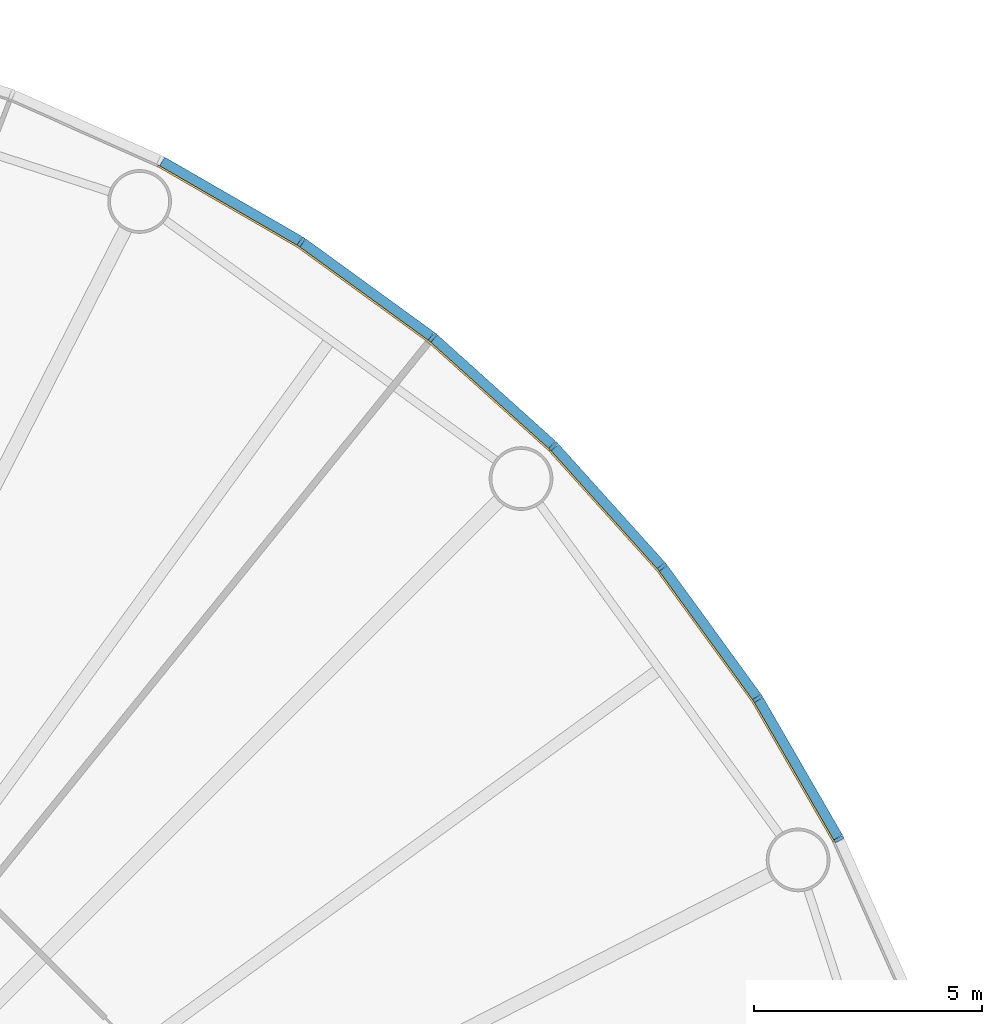
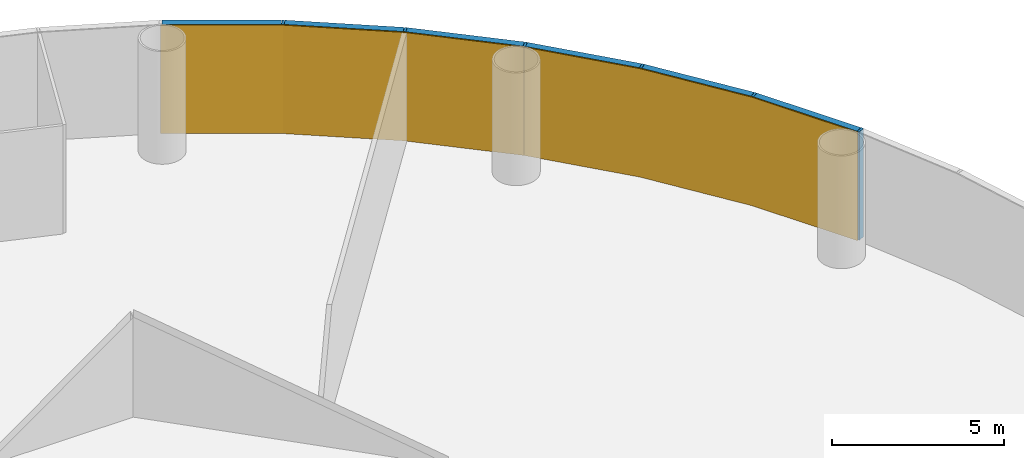
# One storey, part 10 of 13: 12 members, 2 curtain walls.
"""IFC4 building model written with IfcOpenShell, lengths in metres."""

from ifc_helpers import new_model, si_unit, direction, frame, origin, origin_2d, place, context, subcontext, project, spatial, polyline, rectangle, outline, extrude, material, layer, layer_set, material_profile, profile_set, type_object, element, aggregate, save


model = new_model("IFC4")

# Units and contexts
model_context = context("Model", 3, precision=1e-05, world=origin(), true_north=direction((0.0, 1.0)))
body_context = subcontext(model_context, "Body", "Model", "MODEL_VIEW")
ifc_project = project(units=[si_unit("LENGTHUNIT", "METRE"), si_unit("AREAUNIT", "SQUARE_METRE"), si_unit("VOLUMEUNIT", "CUBIC_METRE"), si_unit("PLANEANGLEUNIT", "RADIAN"), si_unit("MASSUNIT", "GRAM", prefix="KILO")], contexts=[model_context])

# Member
ifc_material_1 = material(Name="Anodised aluminium", Category="aluminium")
ifc_material_profile_1 = material_profile(ifc_material_1, rectangle(XDim=0.074951171875, YDim=0.219970703125, at=origin_2d()), Name="Mullion 75 x 220 mm anodised aluminium")
ifc_profile_set_1 = profile_set([ifc_material_profile_1], Name="Anodised aluminium")
member_type_1 = type_object("IfcMemberType", Name="Mullion 75 x 220 mm anodised aluminium", PredefinedType="MULLION", material=ifc_profile_set_1)
site_placement = place(None, origin())
building_placement = place(site_placement, origin())
storey_placement = place(building_placement, frame((0.0, 0.0, 42.0)))
member_1_placement = place(storey_placement, frame((120.392333984375, 95.485595703125, 0.0), z_axis=(0.0, 0.0, 1.0), x_axis=(-0.45399049974, 0.891006524188, 0.0)))
member_1 = element("IfcMember", 1, at=member_1_placement, type_object=member_type_1, Name="MULLION L08-03", PredefinedType="MULLION", context=body_context, shape_type="SweptSolid", body=[
    extrude(rectangle(XDim=0.074951171875, YDim=0.219970703125, at=origin_2d()), origin(), (0.0, 0.0, 1.0), 3.85009765625),
])

member_2_placement = place(storey_placement, frame((118.60693359375, 98.57763671875, 0.0), z_axis=(0.0, 0.0, 1.0), x_axis=(-0.544639035015, 0.838670567945, 0.0)))
member_2 = element("IfcMember", 2, at=member_2_placement, type_object=member_type_1, Name="MULLION L08-04", PredefinedType="MULLION", context=body_context, shape_type="SweptSolid", body=[
    extrude(rectangle(XDim=0.074951171875, YDim=0.219970703125, at=origin_2d()), origin(), (0.0, 0.0, 1.0), 3.85009765625),
])

member_3_placement = place(storey_placement, frame((116.508544921875, 101.466064453125, 0.0), z_axis=(0.0, 0.0, 1.0), x_axis=(-0.62932039105, 0.777145961457, 0.0)))
member_3 = element("IfcMember", 3, at=member_3_placement, type_object=member_type_1, Name="MULLION L08-05", PredefinedType="MULLION", context=body_context, shape_type="SweptSolid", body=[
    extrude(rectangle(XDim=0.074951171875, YDim=0.219970703125, at=origin_2d()), origin(), (0.0, 0.0, 1.0), 3.85009765625),
])

member_4_placement = place(storey_placement, frame((114.119384765625, 104.119384765625, 0.0), z_axis=(0.0, 0.0, 1.0), x_axis=(-0.707106781187, 0.707106781187, 0.0)))
member_4 = element("IfcMember", 4, at=member_4_placement, type_object=member_type_1, Name="MULLION L08-06", PredefinedType="MULLION", context=body_context, shape_type="SweptSolid", body=[
    extrude(rectangle(XDim=0.074951171875, YDim=0.219970703125, at=origin_2d()), origin(), (0.0, 0.0, 1.0), 3.85009765625),
])

member_5_placement = place(storey_placement, frame((111.466064453125, 106.508544921875, 0.0), z_axis=(0.0, 0.0, 1.0), x_axis=(-0.777145961457, 0.62932039105, 0.0)))
member_5 = element("IfcMember", 5, at=member_5_placement, type_object=member_type_1, Name="MULLION L08-07", PredefinedType="MULLION", context=body_context, shape_type="SweptSolid", body=[
    extrude(rectangle(XDim=0.074951171875, YDim=0.219970703125, at=origin_2d()), origin(), (0.0, 0.0, 1.0), 3.85009765625),
])

member_6_placement = place(storey_placement, frame((108.57763671875, 108.60693359375, 0.0), z_axis=(0.0, 0.0, 1.0), x_axis=(-0.838670567945, 0.544639035015, 0.0)))
member_6 = element("IfcMember", 6, at=member_6_placement, type_object=member_type_1, Name="MULLION L08-08", PredefinedType="MULLION", context=body_context, shape_type="SweptSolid", body=[
    extrude(rectangle(XDim=0.074951171875, YDim=0.219970703125, at=origin_2d()), origin(), (0.0, 0.0, 1.0), 3.85009765625),
])

ifc_material_2 = material(Name="Anodised aluminium", Category="aluminium")
ifc_material_profile_2 = material_profile(ifc_material_2, rectangle(XDim=0.219970703125, YDim=0.199951171875, at=origin_2d()), Name="Transom 200 x 220 mm anodised aluminium")
ifc_profile_set_2 = profile_set([ifc_material_profile_2], Name="Anodised aluminium")
member_type_2 = type_object("IfcMemberType", Name="Transom 200 x 220 mm anodised aluminium", PredefinedType="USERDEFINED", material=ifc_profile_set_2)
member_7_placement = place(storey_placement, frame((120.370849609375, 95.523193359375, 3.75), z_axis=(-0.500005538244, 0.866022206254, 0.0), x_axis=(-0.866022206254, -0.500005538244, 0.0)))
member_7 = element("IfcMember", 7, at=member_7_placement, type_object=member_type_2, Name="TRANSOM L08-03", ObjectType="TRANSOM", PredefinedType="USERDEFINED", context=body_context, shape_type="SweptSolid", body=[
    extrude(rectangle(XDim=0.219970703125, YDim=0.199951171875, at=origin_2d()), origin(), (0.0, 0.0, 1.0), 3.48388671875),
])

member_8_placement = place(storey_placement, frame((118.581787109375, 98.61279296875, 3.75), z_axis=(-0.587821627006, 0.80899056535, 0.0), x_axis=(-0.80899056535, -0.587821627006, 0.0)))
member_8 = element("IfcMember", 8, at=member_8_placement, type_object=member_type_2, Name="TRANSOM L08-04", ObjectType="TRANSOM", PredefinedType="USERDEFINED", context=body_context, shape_type="SweptSolid", body=[
    extrude(rectangle(XDim=0.219970703125, YDim=0.199951171875, at=origin_2d()), origin(), (0.0, 0.0, 1.0), 3.48388671875),
])

member_9_placement = place(storey_placement, frame((116.479736328125, 101.498291015625, 3.75), z_axis=(-0.669138930974, 0.743137329876, 0.0), x_axis=(-0.743137329876, -0.669138930974, 0.0)))
member_9 = element("IfcMember", 9, at=member_9_placement, type_object=member_type_2, Name="TRANSOM L08-05", ObjectType="TRANSOM", PredefinedType="USERDEFINED", context=body_context, shape_type="SweptSolid", body=[
    extrude(rectangle(XDim=0.219970703125, YDim=0.199951171875, at=origin_2d()), origin(), (0.0, 0.0, 1.0), 3.484130859375),
])

member_10_placement = place(storey_placement, frame((114.08740234375, 104.1484375, 3.75), z_axis=(-0.743137329876, 0.669138930974, 0.0), x_axis=(-0.669138930974, -0.743137329876, 0.0)))
member_10 = element("IfcMember", 10, at=member_10_placement, type_object=member_type_2, Name="TRANSOM L08-06", ObjectType="TRANSOM", PredefinedType="USERDEFINED", context=body_context, shape_type="SweptSolid", body=[
    extrude(rectangle(XDim=0.219970703125, YDim=0.199951171875, at=origin_2d()), origin(), (0.0, 0.0, 1.0), 3.484130859375),
])

member_11_placement = place(storey_placement, frame((111.43115234375, 106.533935546875, 3.75), z_axis=(-0.80899056535, 0.587821627006, 0.0), x_axis=(-0.587821627006, -0.80899056535, 0.0)))
member_11 = element("IfcMember", 11, at=member_11_placement, type_object=member_type_2, Name="TRANSOM L08-07", ObjectType="TRANSOM", PredefinedType="USERDEFINED", context=body_context, shape_type="SweptSolid", body=[
    extrude(rectangle(XDim=0.219970703125, YDim=0.199951171875, at=origin_2d()), origin(), (0.0, 0.0, 1.0), 3.48388671875),
])

member_12_placement = place(storey_placement, frame((108.540283203125, 108.62890625, 3.75), z_axis=(-0.866022206254, 0.500005538244, 0.0), x_axis=(-0.500005538244, -0.866022206254, 0.0)))
member_12 = element("IfcMember", 12, at=member_12_placement, type_object=member_type_2, Name="TRANSOM L08-08", ObjectType="TRANSOM", PredefinedType="USERDEFINED", context=body_context, shape_type="SweptSolid", body=[
    extrude(rectangle(XDim=0.219970703125, YDim=0.199951171875, at=origin_2d()), origin(), (0.0, 0.0, 1.0), 3.48388671875),
])

# Site, building, storey
site = spatial("IfcSite", under=ifc_project, at=site_placement, CompositionType="ELEMENT")
building = spatial("IfcBuilding", under=site, at=building_placement, Name="Entoto Ring Tower", CompositionType="ELEMENT")
storey = spatial("IfcBuildingStorey", under=building, at=storey_placement, Name="L08", CompositionType="ELEMENT", Elevation=42.0)

# Curtain wall
ifc_material_3 = material(Name="Clear low-iron glass", Category="glass")
ifc_layer = layer(ifc_material_3, 0.0400390625)
ifc_layer_set = layer_set([ifc_layer], Name="Clear low-iron glass")
curtain_wall_type = type_object("IfcCurtainWallType", Name="Curtain wall system CW1 glazing 40 mm", PredefinedType="NOTDEFINED", material=ifc_layer_set)
curtain_wall_1_placement = place(storey_placement, origin())
curtain_wall_1 = element("IfcCurtainWall", 13, at=curtain_wall_1_placement, inside=storey, type_object=curtain_wall_type, Name="CW1 L08-02", PredefinedType="NOTDEFINED", context=body_context, shape_type="SweptSolid", body=[
    extrude(outline(polyline([(120.294189453125, 95.435791015625), (118.514892578125, 98.517822265625), (116.4228515625, 101.39697265625), (114.041748046875, 104.041748046875), (114.013427734375, 104.013427734375), (116.391845703125, 101.37158203125), (118.481201171875, 98.495849609375), (120.258544921875, 95.41748046875), (120.294189453125, 95.435791015625)])), origin(), (0.0, 0.0, 1.0), 3.85009765625),
])

aggregate(curtain_wall_1, [member_1, member_2, member_3, member_7, member_8, member_9])

curtain_wall_2_placement = place(storey_placement, origin())
curtain_wall_2 = element("IfcCurtainWall", 14, at=curtain_wall_2_placement, inside=storey, type_object=curtain_wall_type, Name="CW1 L08-03", PredefinedType="NOTDEFINED", context=body_context, shape_type="SweptSolid", body=[
    extrude(outline(polyline([(114.041748046875, 104.041748046875), (111.39697265625, 106.4228515625), (108.517822265625, 108.514892578125), (105.435791015625, 110.294189453125), (105.41748046875, 110.258544921875), (108.495849609375, 108.481201171875), (111.37158203125, 106.391845703125), (114.013427734375, 104.013427734375), (114.041748046875, 104.041748046875)])), origin(), (0.0, 0.0, 1.0), 3.85009765625),
])

aggregate(curtain_wall_2, [member_4, member_5, member_6, member_10, member_11, member_12])

save(model, "model.ifc")
